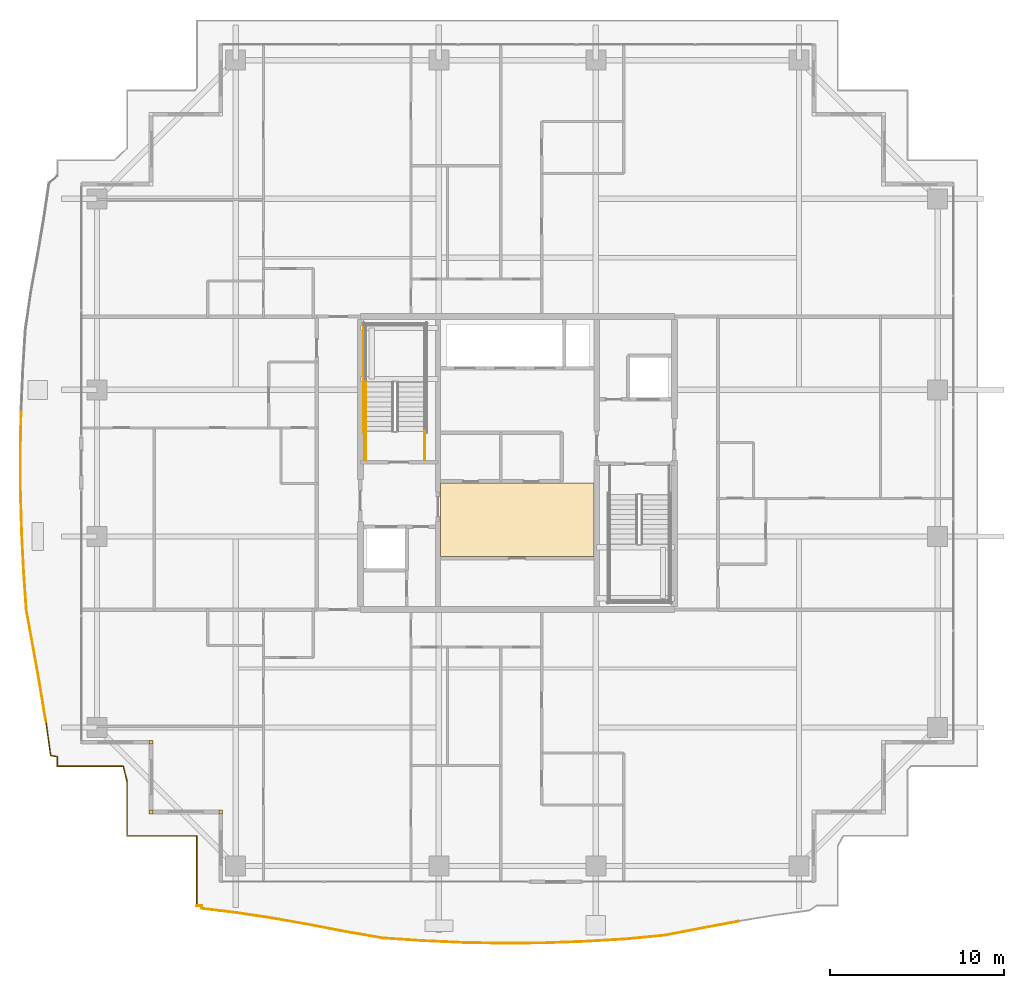
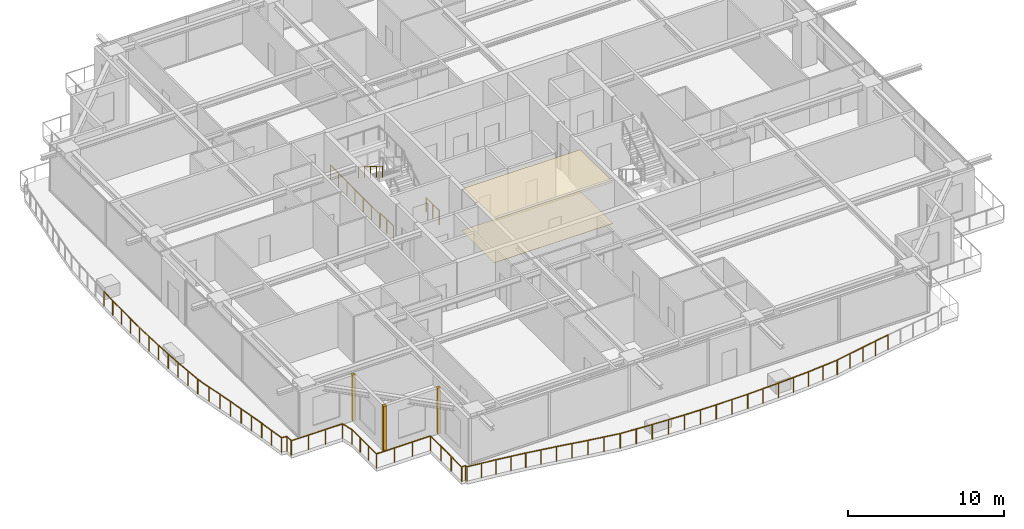
# One storey, part 32 of 36: 8 railings, 5 coverings.
"""IFC4 building model written with IfcOpenShell, lengths in metres."""

import ifcopenshell
import ifcopenshell.guid

model = None  # the IFC model being written
_history = None  # IfcOwnerHistory: only IFC2X3 demands one
_inside = {}  # id of a spatial element -> (the spatial element, [elements in it])
_under = {}  # id of a project, library or spatial element -> (it, [spatial elements below it])
_declared = {}  # id of a project -> (the project, [libraries it declares])
_typed = {}  # id of a type object -> (the type object, [elements of that type])
_made_of = {}  # id of a material, layer set ... -> (it, [elements and type objects made of it])


def new_model(schema):
    """Start an empty IFC model of exactly this schema.

    Asked for "IFC4X3", IfcOpenShell would pick the latest addendum, in which some entities
    have other attributes; the version numbers below select the first issue.
    IFC2X3 requires an IfcOwnerHistory on every rooted entity: one is made here for all.
    """
    global model, _history
    if schema == "IFC4X3":
        model = ifcopenshell.file(schema_version=(4, 3, 0, 0))
    else:
        model = ifcopenshell.file(schema=schema)
    _inside.clear()
    _under.clear()
    _declared.clear()
    _typed.clear()
    _made_of.clear()
    _history = None
    if model.schema == "IFC2X3":
        org = make("IfcOrganization", Name="unknown")
        user = make(
            "IfcPersonAndOrganization",
            ThePerson=make("IfcPerson", FamilyName="unknown"),
            TheOrganization=org,
        )
        app = make(
            "IfcApplication",
            ApplicationDeveloper=org,
            Version="unknown",
            ApplicationFullName="unknown",
            ApplicationIdentifier="unknown",
        )
        _history = make(
            "IfcOwnerHistory",
            OwningUser=user,
            OwningApplication=app,
            ChangeAction="ADDED",
            CreationDate=0,
        )
    return model


def make(cls, **values):
    """One entity of the class cls with the attributes given. An attribute that is None is left unset."""
    return model.create_entity(
        cls, **{name: value for name, value in values.items() if value is not None}
    )


def rooted(cls, **values):
    """An entity with a GlobalId (a new one), such as an element, a storey or a relation."""
    return make(cls, GlobalId=ifcopenshell.guid.new(), OwnerHistory=_history, **values)


def si_unit(unit_type, name, prefix=None):
    """IfcSIUnit, for example si_unit("LENGTHUNIT", "METRE", prefix="MILLI")."""
    return make("IfcSIUnit", UnitType=unit_type, Prefix=prefix, Name=name)


def assignment(units):
    """IfcUnitAssignment: the units of a project."""
    return None if units is None else make("IfcUnitAssignment", Units=units)


def point(xyz):
    """IfcCartesianPoint."""
    return None if xyz is None else make("IfcCartesianPoint", Coordinates=xyz)


def direction(xyz):
    """IfcDirection."""
    return None if xyz is None else make("IfcDirection", DirectionRatios=xyz)


def frame(location, z_axis=None, x_axis=None):
    """IfcAxis2Placement3D, a coordinate frame: its origin and axes. An axis left out is left unset."""
    return make(
        "IfcAxis2Placement3D",
        Location=point(location),
        Axis=direction(z_axis),
        RefDirection=direction(x_axis),
    )


def frame_2d(location, x_axis=None):
    """IfcAxis2Placement2D, a coordinate frame in the plane: its origin and x axis."""
    return make(
        "IfcAxis2Placement2D", Location=point(location), RefDirection=direction(x_axis)
    )


def origin():
    """The frame at (0, 0, 0) with its axes left unset."""
    return frame((0.0, 0.0, 0.0))


def origin_2d():
    """The frame at (0, 0) in the plane with its x axis left unset."""
    return frame_2d((0.0, 0.0))


def place(relative_to, where):
    """IfcLocalPlacement: puts the frame where relative to a parent placement (None: the world)."""
    return make(
        "IfcLocalPlacement", PlacementRelTo=relative_to, RelativePlacement=where
    )


def context(
    kind, dimensions, precision=None, world=None, true_north=None, identifier=None
):
    """IfcGeometricRepresentationContext, for example the 3D "Model" context."""
    return make(
        "IfcGeometricRepresentationContext",
        ContextIdentifier=identifier,
        ContextType=kind,
        CoordinateSpaceDimension=dimensions,
        Precision=precision,
        WorldCoordinateSystem=world,
        TrueNorth=true_north,
    )


def subcontext(parent, identifier, kind, view, scale=None):
    """IfcGeometricRepresentationSubContext, for example "Body" below "Model"."""
    return make(
        "IfcGeometricRepresentationSubContext",
        ContextIdentifier=identifier,
        ContextType=kind,
        ParentContext=parent,
        TargetScale=scale,
        TargetView=view,
    )


def project(units=None, contexts=None):
    """IfcProject with its units and contexts."""
    return rooted(
        "IfcProject",
        Name="project",
        RepresentationContexts=contexts,
        UnitsInContext=assignment(units),
    )


def spatial(cls, under=None, at=None, **own):
    """A site, building, storey or space (cls), placed at a placement, below another one or the project."""
    s = rooted(cls, ObjectPlacement=at, **own)
    if under is not None:
        _under.setdefault(under.id(), (under, []))[1].append(s)
    return s


def polyline(points):
    """IfcPolyline through the points."""
    return make("IfcPolyline", Points=[point(p) for p in points])


def profile(cls, at=None, kind="AREA", **sizes):
    """A parametric profile (cls). Its sizes go by their IFC names, for example OverallWidth=200.0."""
    return make(cls, ProfileType=kind, Position=at, **sizes)


def rectangle(**sizes):
    """IfcRectangleProfileDef."""
    return profile("IfcRectangleProfileDef", **sizes)


def circle(**sizes):
    """IfcCircleProfileDef."""
    return profile("IfcCircleProfileDef", **sizes)


def outline(outer, holes=None, kind="AREA"):
    """IfcArbitraryClosedProfileDef: a profile drawn as a closed curve; with holes, ...WithVoids."""
    if holes is None:
        return make("IfcArbitraryClosedProfileDef", ProfileType=kind, OuterCurve=outer)
    return make(
        "IfcArbitraryProfileDefWithVoids",
        ProfileType=kind,
        OuterCurve=outer,
        InnerCurves=holes,
    )


def extrude(swept, where, along, depth):
    """IfcExtrudedAreaSolid: the profile swept, set in the frame where, extruded along a direction by depth."""
    return make(
        "IfcExtrudedAreaSolid",
        SweptArea=swept,
        Position=where,
        ExtrudedDirection=direction(along),
        Depth=depth,
    )


def shape(context_of_items, identifier, shape_type, items):
    """IfcShapeRepresentation: the items that make up one representation, for example the "Body"."""
    return make(
        "IfcShapeRepresentation",
        ContextOfItems=context_of_items,
        RepresentationIdentifier=identifier,
        RepresentationType=shape_type,
        Items=items,
    )


def source(mapping_origin, context_of_items, identifier, shape_type, items):
    """IfcRepresentationMap: a shape defined once, which mapped items show again and again."""
    return make(
        "IfcRepresentationMap",
        MappingOrigin=mapping_origin,
        MappedRepresentation=shape(context_of_items, identifier, shape_type, items),
    )


def transform(
    local_origin,
    x_axis=None,
    y_axis=None,
    z_axis=None,
    scale=None,
    scale2=None,
    scale3=None,
    uniform=True,
):
    """IfcCartesianTransformationOperator3D, or its non-uniform kind. x_axis, y_axis, z_axis: its Axis1, 2, 3."""
    if uniform:
        return make(
            "IfcCartesianTransformationOperator3D",
            Axis1=direction(x_axis),
            Axis2=direction(y_axis),
            LocalOrigin=point(local_origin),
            Scale=scale,
            Axis3=direction(z_axis),
        )
    return make(
        "IfcCartesianTransformationOperator3DnonUniform",
        Axis1=direction(x_axis),
        Axis2=direction(y_axis),
        LocalOrigin=point(local_origin),
        Scale=scale,
        Axis3=direction(z_axis),
        Scale2=scale2,
        Scale3=scale3,
    )


def mapped(mapping_source, mapping_target):
    """IfcMappedItem: shows the shape of a source again, moved by a transform."""
    return make(
        "IfcMappedItem", MappingSource=mapping_source, MappingTarget=mapping_target
    )


def material(Name=None, Category=None):
    """IfcMaterial."""
    return make("IfcMaterial", Name=Name, Category=Category)


def layer(
    of_material, thickness, ventilated=None, Name=None, Category=None, Priority=None
):
    """IfcMaterialLayer: one layer of a wall or slab, of a material (None: an air gap)."""
    return make(
        "IfcMaterialLayer",
        Material=of_material,
        LayerThickness=thickness,
        IsVentilated=ventilated,
        Name=Name,
        Category=Category,
        Priority=Priority,
    )


def layer_set(layers, Name=None):
    """IfcMaterialLayerSet."""
    return make("IfcMaterialLayerSet", MaterialLayers=layers, LayerSetName=Name)


def made_of(thing, what):
    """Note that an element or type object is made of a material, layer set ...; save() writes the relation."""
    if what is not None:
        _made_of.setdefault(what.id(), (what, []))[1].append(thing)
    return thing


def type_object(cls, material=None, **own):
    """A type object (cls), such as IfcWallType, which elements share."""
    return made_of(rooted(cls, **own), material)


def element(
    cls,
    number,
    at=None,
    inside=None,
    cuts=None,
    type_object=None,
    material=None,
    context=None,
    identifier="Body",
    shape_type=None,
    held_by="IfcProductDefinitionShape",
    body=None,
    shapes=None,
    **own,
):
    """One element of the class cls, such as IfcWall. Its Tag is "e" and its number.

    at: its placement. inside: the storey or other place that contains it. cuts: it is an
    opening in that element (IfcRelVoidsElement). A single representation is given by context,
    identifier, shape_type and body (its items); several are given by shapes. held_by: the class
    of the entity that holds the representations. save() writes the other relations.
    """
    e = rooted(cls, Tag="e%d" % number, ObjectPlacement=at, **own)
    if body is not None:
        shapes = [shape(context, identifier, shape_type, body)]
    if shapes is not None:
        e.Representation = make(held_by, Representations=shapes)
    if inside is not None:
        _inside.setdefault(inside.id(), (inside, []))[1].append(e)
    if cuts is not None:
        rooted(
            "IfcRelVoidsElement", RelatingBuildingElement=cuts, RelatedOpeningElement=e
        )
    if type_object is not None:
        _typed.setdefault(type_object.id(), (type_object, []))[1].append(e)
    return made_of(e, material)


def aggregate(whole, parts):
    """IfcRelAggregates: a whole, such as a stair, and the parts it consists of."""
    return rooted("IfcRelAggregates", RelatingObject=whole, RelatedObjects=parts)


def save(model, path):
    """Write the relations noted so far, then the file.

    IfcRelAggregates (storeys below a building ...), IfcRelContainedInSpatialStructure (elements
    in a storey), IfcRelDefinesByType, IfcRelAssociatesMaterial and IfcRelDeclares: one each for
    every whole, place, type object, material and project.
    """
    for whole, parts in _under.values():
        aggregate(whole, parts)
    for where, things in _inside.values():
        rooted(
            "IfcRelContainedInSpatialStructure",
            RelatedElements=things,
            RelatingStructure=where,
        )
    for kind, things in _typed.values():
        rooted("IfcRelDefinesByType", RelatedObjects=things, RelatingType=kind)
    for what, things in _made_of.values():
        rooted("IfcRelAssociatesMaterial", RelatedObjects=things, RelatingMaterial=what)
    for by, libraries in _declared.values():
        rooted("IfcRelDeclares", RelatingContext=by, RelatedDefinitions=libraries)
    model.write(path)


model = new_model("IFC4")

# Units and contexts
model_context = context("Model", 3, precision=1e-05, world=origin(), true_north=direction((0.0, 1.0)))
body_context = subcontext(model_context, "Body", "Model", "MODEL_VIEW")
ifc_project = project(units=[si_unit("LENGTHUNIT", "METRE"), si_unit("AREAUNIT", "SQUARE_METRE"), si_unit("VOLUMEUNIT", "CUBIC_METRE"), si_unit("PLANEANGLEUNIT", "RADIAN"), si_unit("MASSUNIT", "GRAM", prefix="KILO")], contexts=[model_context])

# Site, building, storey
site_placement = place(None, origin())
site = spatial("IfcSite", under=ifc_project, at=site_placement, CompositionType="ELEMENT")
building_placement = place(site_placement, origin())
building = spatial("IfcBuilding", under=site, at=building_placement, Name="Serunith Strait Residences", CompositionType="ELEMENT")
storey_placement = place(building_placement, frame((0.0, 0.0, 225.85009765625)))
storey = spatial("IfcBuildingStorey", under=building, at=storey_placement, Name="L56", CompositionType="ELEMENT", Elevation=225.85009765625)

# Coverings
ifc_material_1 = material(Name="Perforated acoustic gypsum ceiling tile")
ifc_layer_1 = layer(ifc_material_1, 0.02490234375, Name="Perforated acoustic gypsum ceiling tile")
ifc_layer_set_1 = layer_set([ifc_layer_1], Name="Perforated acoustic gypsum ceiling tile")
covering_type_1 = type_object("IfcCoveringType", Name="COV-CEIL-AC60", PredefinedType="CEILING", material=ifc_layer_set_1)
covering_1_placement = place(storey_placement, frame((0.0, 0.0, 3.239990234375)))
element("IfcCovering", 1, at=covering_1_placement, inside=storey, type_object=covering_type_1, Name="L56 Lift Lobby Acoustic Ceiling", PredefinedType="CEILING", context=body_context, shape_type="SweptSolid", body=[
    extrude(outline(polyline([(28.0, 19.85009765625), (36.800048828125, 19.85009765625), (36.800048828125, 24.050048828125), (28.0, 24.050048828125), (28.0, 19.85009765625)])), origin(), (0.0, 0.0, 1.0), 0.02490234375),
])
ifc_material_2 = material(Name="Honed limestone terrazzo flooring", Category="masonry")
ifc_layer_2 = layer(ifc_material_2, 0.02001953125, Name="Honed limestone terrazzo flooring")
ifc_layer_set_2 = layer_set([ifc_layer_2], Name="Honed limestone terrazzo flooring")
covering_type_2 = type_object("IfcCoveringType", Name="COV-FLOOR-TER40", PredefinedType="FLOORING", material=ifc_layer_set_2)
covering_2_placement = place(storey_placement, origin())
element("IfcCovering", 2, at=covering_2_placement, inside=storey, type_object=covering_type_2, Name="L56 Lift Lobby Terrazzo Flooring", PredefinedType="FLOORING", context=body_context, shape_type="SweptSolid", body=[
    extrude(outline(polyline([(28.0, 19.85009765625), (36.800048828125, 19.85009765625), (36.800048828125, 24.050048828125), (28.0, 24.050048828125), (28.0, 19.85009765625)])), origin(), (0.0, 0.0, 1.0), 0.02001953125),
])

# Railings
ifc_material_3 = material(Name="Stainless Steel & Laminated Glass Balustrade", Category="steel")
railing_type_1 = type_object("IfcRailingType", Name="RLG-BALC-1150", PredefinedType="BALUSTRADE", material=ifc_material_3)
railing_1_placement = place(storey_placement, frame((14.02001953125, -0.179931640625, -0.050048828125)))
element("IfcRailing", 3, at=railing_1_placement, inside=storey, type_object=railing_type_1, Name="L56 Swirling Balcony Perimeter Balustrade 1", PredefinedType="BALUSTRADE", context=body_context, shape_type="SweptSolid", body=[
    extrude(circle(Radius=0.02392578125, at=origin_2d()), frame((0.0, 0.001953125, 1.1259765625), z_axis=(0.0, 1.0, 0.0), x_axis=(-1.0, 0.0, 0.0)), (0.0, 0.0, 1.0), 3.99609375),
    extrude(circle(Radius=0.02392578125, at=origin_2d()), frame((-0.001953125, 4.0, 1.1259765625), z_axis=(-1.0, 0.0, 0.0), x_axis=(0.0, -1.0, 0.0)), (0.0, 0.0, 1.0), 3.99609375),
    extrude(circle(Radius=0.02392578125, at=origin_2d()), frame((-4.0, 4.001953125, 1.1259765625), z_axis=(0.0, 1.0, 0.0), x_axis=(-1.0, 0.0, 0.0)), (0.0, 0.0, 1.0), 3.125),
    extrude(circle(Radius=0.02392578125, at=origin_2d()), frame((-4.00048828125, 7.130859375, 1.1259765625), z_axis=(-0.237407418156, 0.971410169704, 0.0), x_axis=(-0.971410169704, -0.237407418156, 0.0)), (0.0, 0.0, 1.0), 0.892822265625),
    extrude(circle(Radius=0.02392578125, at=origin_2d()), frame((-4.21484375, 8.0, 1.1259765625), z_axis=(-1.0, 0.0, 0.0), x_axis=(0.0, -1.0, 0.0)), (0.0, 0.0, 1.0), 3.783203125),
    extrude(circle(Radius=0.02392578125, at=origin_2d()), frame((-8.0, 8.001953125, 1.1259765625), z_axis=(0.0, 1.0, 0.0), x_axis=(-1.0, 0.0, 0.0)), (0.0, 0.0, 1.0), 0.54541015625),
    extrude(circle(Radius=0.02392578125, at=origin_2d()), frame((-8.001953125, 8.549560546875, 1.1259765625), z_axis=(-0.985940345405, 0.167097681916, 0.0), x_axis=(-0.167097681916, -0.985940345405, 0.0)), (0.0, 0.0, 1.0), 0.37744140625),
    extrude(circle(Radius=0.02392578125, at=origin_2d()), frame((-8.376220703125, 8.614990234375, 1.1259765625), z_axis=(-0.138386199271, 0.990378341772, 0.0), x_axis=(-0.990378341772, -0.138386199271, 0.0)), (0.0, 0.0, 1.0), 2.0458984375),
    extrude(circle(Radius=0.02099609375, at=origin_2d()), origin(), (0.0, 0.0, 1.0), 1.099853515625),
    extrude(circle(Radius=0.02099609375, at=origin_2d()), frame((0.0, 1.333251953125, 0.0)), (0.0, 0.0, 1.0), 1.099853515625),
    extrude(circle(Radius=0.02099609375, at=origin_2d()), frame((0.0, 2.666748046875, 0.0)), (0.0, 0.0, 1.0), 1.099853515625),
    extrude(circle(Radius=0.02099609375, at=origin_2d()), frame((0.0, 4.0, 0.0)), (0.0, 0.0, 1.0), 1.099853515625),
    extrude(circle(Radius=0.02099609375, at=origin_2d()), frame((-1.333251953125, 4.0, 0.0)), (0.0, 0.0, 1.0), 1.099853515625),
    extrude(circle(Radius=0.02099609375, at=origin_2d()), frame((-2.666748046875, 4.0, 0.0)), (0.0, 0.0, 1.0), 1.099853515625),
    extrude(circle(Radius=0.02099609375, at=origin_2d()), frame((-4.0, 4.0, 0.0)), (0.0, 0.0, 1.0), 1.099853515625),
    extrude(circle(Radius=0.02099609375, at=origin_2d()), frame((-4.0, 5.04296875, 0.0)), (0.0, 0.0, 1.0), 1.099853515625),
    extrude(circle(Radius=0.02099609375, at=origin_2d()), frame((-4.0, 6.0859375, 0.0)), (0.0, 0.0, 1.0), 1.099853515625),
    extrude(circle(Radius=0.02099609375, at=origin_2d()), frame((-4.0, 7.12890625, 0.0)), (0.0, 0.0, 1.0), 1.099853515625),
    extrude(circle(Radius=0.02099609375, at=origin_2d()), frame((-4.212890625, 8.0, 0.0)), (0.0, 0.0, 1.0), 1.099853515625),
    extrude(circle(Radius=0.02099609375, at=origin_2d()), frame((-5.475341796875, 8.0, 0.0)), (0.0, 0.0, 1.0), 1.099853515625),
    extrude(circle(Radius=0.02099609375, at=origin_2d()), frame((-6.737548828125, 8.0, 0.0)), (0.0, 0.0, 1.0), 1.099853515625),
    extrude(circle(Radius=0.02099609375, at=origin_2d()), frame((-8.0, 8.0, 0.0)), (0.0, 0.0, 1.0), 1.099853515625),
    extrude(circle(Radius=0.02099609375, at=origin_2d()), frame((-8.0, 8.54931640625, 0.0)), (0.0, 0.0, 1.0), 1.099853515625),
    extrude(circle(Radius=0.02099609375, at=origin_2d()), frame((-8.3759765625, 8.613037109375, 0.0)), (0.0, 0.0, 1.0), 1.099853515625),
    extrude(circle(Radius=0.02099609375, at=origin_2d()), frame((-8.517822265625, 9.628173828125, 0.0)), (0.0, 0.0, 1.0), 1.099853515625),
    extrude(circle(Radius=0.02099609375, at=origin_2d()), frame((-8.65966796875, 10.643310546875, 0.0)), (0.0, 0.0, 1.0), 1.099853515625),
])
railing_2_placement = place(storey_placement, frame((5.3603515625, 10.46337890625, -0.050048828125)))
element("IfcRailing", 4, at=railing_2_placement, inside=storey, type_object=railing_type_1, Name="L56 Swirling Balcony Perimeter Balustrade 2", PredefinedType="BALUSTRADE", context=body_context, shape_type="SweptSolid", body=[
    extrude(circle(Radius=0.02392578125, at=origin_2d()), frame((-0.000244140625, 0.001953125, 1.1259765625), z_axis=(-0.161390880631, 0.986890563157, 0.0), x_axis=(-0.986890563157, -0.161390880631, 0.0)), (0.0, 0.0, 1.0), 2.075927734375),
    extrude(circle(Radius=0.02392578125, at=origin_2d()), frame((-0.3359375, 2.0546875, 1.1259765625), z_axis=(-0.176883754776, 0.984231749791, 0.0), x_axis=(-0.984231749791, -0.176883754776, 0.0)), (0.0, 0.0, 1.0), 2.12158203125),
    extrude(circle(Radius=0.02392578125, at=origin_2d()), frame((-0.7119140625, 4.146728515625, 1.1259765625), z_axis=(-0.179278853801, 0.983798298728, 0.0), x_axis=(-0.983798298728, -0.179278853801, 0.0)), (0.0, 0.0, 1.0), 2.180419921875),
    extrude(circle(Radius=0.02392578125, at=origin_2d()), frame((-1.103515625, 6.295654296875, 1.1259765625), z_axis=(-0.070038967941, 0.997544256146, 0.0), x_axis=(-0.997544256146, -0.070038967941, 0.0)), (0.0, 0.0, 1.0), 2.26513671875),
    extrude(circle(Radius=0.02392578125, at=origin_2d()), frame((-1.26220703125, 8.559326171875, 1.1259765625), z_axis=(-0.04970981739, 0.998763702812, 0.0), x_axis=(-0.998763702812, -0.04970981739, 0.0)), (0.0, 0.0, 1.0), 2.29443359375),
    extrude(circle(Radius=0.02392578125, at=origin_2d()), frame((-1.37646484375, 10.85498046875, 1.1259765625), z_axis=(-0.02759458746, 0.999619196866, 0.0), x_axis=(-0.999619196866, -0.02759458746, 0.0)), (0.0, 0.0, 1.0), 2.31396484375),
    extrude(circle(Radius=0.02392578125, at=origin_2d()), frame((-1.4404296875, 13.172119140625, 1.1259765625), z_axis=(-0.003778310562, 0.999992862159, 0.0), x_axis=(-0.999992862159, -0.003778310562, 0.0)), (0.0, 0.0, 1.0), 2.322265625),
    extrude(circle(Radius=0.02392578125, at=origin_2d()), frame((-1.44921875, 15.498291015625, 1.1259765625), z_axis=(0.020504733108, 0.999789755859, 0.0), x_axis=(-0.999789755859, 0.020504733108, 0.0)), (0.0, 0.0, 1.0), 2.31787109375),
    extrude(circle(Radius=0.02099609375, at=origin_2d()), origin(), (0.0, 0.0, 1.0), 1.099853515625),
    extrude(circle(Radius=0.02099609375, at=origin_2d()), frame((-0.16796875, 1.0263671875, 0.0)), (0.0, 0.0, 1.0), 1.099853515625),
    extrude(circle(Radius=0.02099609375, at=origin_2d()), frame((-0.335693359375, 2.052734375, 0.0)), (0.0, 0.0, 1.0), 1.099853515625),
    extrude(circle(Radius=0.02099609375, at=origin_2d()), frame((-0.523681640625, 3.0986328125, 0.0)), (0.0, 0.0, 1.0), 1.099853515625),
    extrude(circle(Radius=0.02099609375, at=origin_2d()), frame((-0.711669921875, 4.144775390625, 0.0)), (0.0, 0.0, 1.0), 1.099853515625),
    extrude(circle(Radius=0.02099609375, at=origin_2d()), frame((-0.907470703125, 5.21923828125, 0.0)), (0.0, 0.0, 1.0), 1.099853515625),
    extrude(circle(Radius=0.02099609375, at=origin_2d()), frame((-1.103271484375, 6.293701171875, 0.0)), (0.0, 0.0, 1.0), 1.099853515625),
    extrude(circle(Radius=0.02099609375, at=origin_2d()), frame((-1.1826171875, 7.425537109375, 0.0)), (0.0, 0.0, 1.0), 1.099853515625),
    extrude(circle(Radius=0.02099609375, at=origin_2d()), frame((-1.26220703125, 8.557373046875, 0.0)), (0.0, 0.0, 1.0), 1.099853515625),
    extrude(circle(Radius=0.02099609375, at=origin_2d()), frame((-1.3193359375, 9.705078125, 0.0)), (0.0, 0.0, 1.0), 1.099853515625),
    extrude(circle(Radius=0.02099609375, at=origin_2d()), frame((-1.37646484375, 10.85302734375, 0.0)), (0.0, 0.0, 1.0), 1.099853515625),
    extrude(circle(Radius=0.02099609375, at=origin_2d()), frame((-1.408447265625, 12.01171875, 0.0)), (0.0, 0.0, 1.0), 1.099853515625),
    extrude(circle(Radius=0.02099609375, at=origin_2d()), frame((-1.4404296875, 13.170166015625, 0.0)), (0.0, 0.0, 1.0), 1.099853515625),
    extrude(circle(Radius=0.02099609375, at=origin_2d()), frame((-1.44482421875, 14.333251953125, 0.0)), (0.0, 0.0, 1.0), 1.099853515625),
    extrude(circle(Radius=0.02099609375, at=origin_2d()), frame((-1.44921875, 15.496337890625, 0.0)), (0.0, 0.0, 1.0), 1.099853515625),
    extrude(circle(Radius=0.02099609375, at=origin_2d()), frame((-1.42529296875, 16.656982421875, 0.0)), (0.0, 0.0, 1.0), 1.099853515625),
    extrude(circle(Radius=0.02099609375, at=origin_2d()), frame((-1.401611328125, 17.817626953125, 0.0)), (0.0, 0.0, 1.0), 1.099853515625),
])
railing_3_placement = place(storey_placement, frame((45.07861328125, -1.069091796875, -0.050048828125)))
element("IfcRailing", 5, at=railing_3_placement, inside=storey, type_object=railing_type_1, Name="L56 Swirling Balcony Perimeter Balustrade 7", PredefinedType="BALUSTRADE", context=body_context, shape_type="SweptSolid", body=[
    extrude(circle(Radius=0.02392578125, at=origin_2d()), frame((-0.001953125, -0.000244140625, 1.1259765625), z_axis=(-0.983102543219, -0.183055700585, 0.0), x_axis=(0.183055700585, -0.983102543219, 0.0)), (0.0, 0.0, 1.0), 2.112548828125),
    extrude(circle(Radius=0.02392578125, at=origin_2d()), frame((-2.082763671875, -0.387939453125, 1.1259765625), z_axis=(-0.981694070557, -0.190464568445, 0.0), x_axis=(0.190464568445, -0.981694070557, 0.0)), (0.0, 0.0, 1.0), 2.173828125),
    extrude(circle(Radius=0.02392578125, at=origin_2d()), frame((-4.220703125, -0.802490234375, 1.1259765625), z_axis=(-0.995457106856, -0.095211072937, 0.0), x_axis=(0.095211072937, -0.995457106856, 0.0)), (0.0, 0.0, 1.0), 2.26025390625),
    extrude(circle(Radius=0.02392578125, at=origin_2d()), frame((-6.474609375, -1.017822265625, 1.1259765625), z_axis=(-0.998221769603, -0.059609552003, 0.0), x_axis=(0.059609552003, -0.998221769603, 0.0)), (0.0, 0.0, 1.0), 2.3017578125),
    extrude(circle(Radius=0.02392578125, at=origin_2d()), frame((-8.7763671875, -1.1552734375, 1.1259765625), z_axis=(-0.9993385981, -0.036364355447, 0.0), x_axis=(0.036364355447, -0.9993385981, 0.0)), (0.0, 0.0, 1.0), 2.32568359375),
    extrude(circle(Radius=0.02392578125, at=origin_2d()), frame((-11.1044921875, -1.239990234375, 1.1259765625), z_axis=(-0.999954963213, -0.009490603009, 0.0), x_axis=(0.009490603009, -0.999954963213, 0.0)), (0.0, 0.0, 1.0), 2.3369140625),
    extrude(circle(Radius=0.02392578125, at=origin_2d()), frame((-13.4453125, -1.26220703125, 1.1259765625), z_axis=(-0.99983295205, 0.018277527067, 0.0), x_axis=(-0.018277527067, -0.99983295205, 0.0)), (0.0, 0.0, 1.0), 2.33349609375),
    extrude(circle(Radius=0.02392578125, at=origin_2d()), frame((-15.782470703125, -1.219482421875, 1.1259765625), z_axis=(-0.999004450497, 0.044610625278, 0.0), x_axis=(-0.044610625278, -0.999004450497, 0.0)), (0.0, 0.0, 1.0), 2.31640625),
    extrude(circle(Radius=0.02099609375, at=origin_2d()), origin(), (0.0, 0.0, 1.0), 1.099853515625),
    extrude(circle(Radius=0.02099609375, at=origin_2d()), frame((-1.04052734375, -0.19384765625, 0.0)), (0.0, 0.0, 1.0), 1.099853515625),
    extrude(circle(Radius=0.02099609375, at=origin_2d()), frame((-2.080810546875, -0.387451171875, 0.0)), (0.0, 0.0, 1.0), 1.099853515625),
    extrude(circle(Radius=0.02099609375, at=origin_2d()), frame((-3.14990234375, -0.5947265625, 0.0)), (0.0, 0.0, 1.0), 1.099853515625),
    extrude(circle(Radius=0.02099609375, at=origin_2d()), frame((-4.21875, -0.80224609375, 0.0)), (0.0, 0.0, 1.0), 1.099853515625),
    extrude(circle(Radius=0.02099609375, at=origin_2d()), frame((-5.345703125, -0.91015625, 0.0)), (0.0, 0.0, 1.0), 1.099853515625),
    extrude(circle(Radius=0.02099609375, at=origin_2d()), frame((-6.47265625, -1.017822265625, 0.0)), (0.0, 0.0, 1.0), 1.099853515625),
    extrude(circle(Radius=0.02099609375, at=origin_2d()), frame((-7.62353515625, -1.08642578125, 0.0)), (0.0, 0.0, 1.0), 1.099853515625),
    extrude(circle(Radius=0.02099609375, at=origin_2d()), frame((-8.7744140625, -1.1552734375, 0.0)), (0.0, 0.0, 1.0), 1.099853515625),
    extrude(circle(Radius=0.02099609375, at=origin_2d()), frame((-9.9384765625, -1.19775390625, 0.0)), (0.0, 0.0, 1.0), 1.099853515625),
    extrude(circle(Radius=0.02099609375, at=origin_2d()), frame((-11.1025390625, -1.239990234375, 0.0)), (0.0, 0.0, 1.0), 1.099853515625),
    extrude(circle(Radius=0.02099609375, at=origin_2d()), frame((-12.27294921875, -1.2509765625, 0.0)), (0.0, 0.0, 1.0), 1.099853515625),
    extrude(circle(Radius=0.02099609375, at=origin_2d()), frame((-13.443359375, -1.26220703125, 0.0)), (0.0, 0.0, 1.0), 1.099853515625),
    extrude(circle(Radius=0.02099609375, at=origin_2d()), frame((-14.61181640625, -1.24072265625, 0.0)), (0.0, 0.0, 1.0), 1.099853515625),
    extrude(circle(Radius=0.02099609375, at=origin_2d()), frame((-15.780517578125, -1.219482421875, 0.0)), (0.0, 0.0, 1.0), 1.099853515625),
    extrude(circle(Radius=0.02099609375, at=origin_2d()), frame((-16.939453125, -1.167724609375, 0.0)), (0.0, 0.0, 1.0), 1.099853515625),
    extrude(circle(Radius=0.02099609375, at=origin_2d()), frame((-18.0986328125, -1.115966796875, 0.0)), (0.0, 0.0, 1.0), 1.099853515625),
])
railing_4_placement = place(storey_placement, frame((26.97998046875, -2.18505859375, -0.050048828125)))
element("IfcRailing", 6, at=railing_4_placement, inside=storey, type_object=railing_type_1, Name="L56 Swirling Balcony Perimeter Balustrade 8", PredefinedType="BALUSTRADE", context=body_context, shape_type="SweptSolid", body=[
    extrude(circle(Radius=0.02392578125, at=origin_2d()), frame((-0.001953125, 0.000244140625, 1.1259765625), z_axis=(-0.997722482444, 0.067452561293, 0.0), x_axis=(-0.067452561293, -0.997722482444, 0.0)), (0.0, 0.0, 1.0), 2.287109375),
    extrude(circle(Radius=0.02392578125, at=origin_2d()), frame((-2.287841796875, 0.15478515625, 1.1259765625), z_axis=(-0.98554543365, 0.169411328465, 0.0), x_axis=(-0.169411328465, -0.98554543365, 0.0)), (0.0, 0.0, 1.0), 2.206787109375),
    extrude(circle(Radius=0.02392578125, at=origin_2d()), frame((-4.466552734375, 0.529541015625, 1.1259765625), z_axis=(-0.981875176811, 0.189528723845, 0.0), x_axis=(-0.189528723845, -0.981875176811, 0.0)), (0.0, 0.0, 1.0), 2.135498046875),
    extrude(circle(Radius=0.02392578125, at=origin_2d()), frame((-6.5673828125, 0.934814453125, 1.1259765625), z_axis=(-0.984723419221, 0.174125781082, 0.0), x_axis=(-0.174125781082, -0.984723419221, 0.0)), (0.0, 0.0, 1.0), 2.082275390625),
    extrude(circle(Radius=0.02392578125, at=origin_2d()), frame((-8.621826171875, 1.298095703125, 1.1259765625), z_axis=(-0.988802400158, 0.149230738933, 0.0), x_axis=(-0.149230738933, -0.988802400158, 0.0)), (0.0, 0.0, 1.0), 2.047607421875),
    extrude(circle(Radius=0.02392578125, at=origin_2d()), frame((-10.650390625, 1.604248046875, 1.1259765625), z_axis=(-0.992572485467, 0.121654679707, 0.0), x_axis=(-0.121654679707, -0.992572485467, 0.0)), (0.0, 0.0, 1.0), 2.02880859375),
    extrude(circle(Radius=0.02392578125, at=origin_2d()), frame((-12.666259765625, 1.853271484375, 1.1259765625), z_axis=(0.007936257995, 0.999968507409, 0.0), x_axis=(-0.999968507409, 0.007936257995, 0.0)), (0.0, 0.0, 1.0), 0.14990234375),
    extrude(circle(Radius=0.02392578125, at=origin_2d()), frame((-12.6669921875, 2.005126953125, 1.1259765625), z_axis=(-1.0, 0.0, 0.0), x_axis=(0.0, -1.0, 0.0)), (0.0, 0.0, 1.0), 0.291015625),
    extrude(circle(Radius=0.02099609375, at=origin_2d()), origin(), (0.0, 0.0, 1.0), 1.099853515625),
    extrude(circle(Radius=0.02099609375, at=origin_2d()), frame((-1.14306640625, 0.0771484375, 0.0)), (0.0, 0.0, 1.0), 1.099853515625),
    extrude(circle(Radius=0.02099609375, at=origin_2d()), frame((-2.285888671875, 0.154541015625, 0.0)), (0.0, 0.0, 1.0), 1.099853515625),
    extrude(circle(Radius=0.02099609375, at=origin_2d()), frame((-3.375244140625, 0.341796875, 0.0)), (0.0, 0.0, 1.0), 1.099853515625),
    extrude(circle(Radius=0.02099609375, at=origin_2d()), frame((-4.464599609375, 0.529052734375, 0.0)), (0.0, 0.0, 1.0), 1.099853515625),
    extrude(circle(Radius=0.02099609375, at=origin_2d()), frame((-5.51513671875, 0.73193359375, 0.0)), (0.0, 0.0, 1.0), 1.099853515625),
    extrude(circle(Radius=0.02099609375, at=origin_2d()), frame((-6.5654296875, 0.9345703125, 0.0)), (0.0, 0.0, 1.0), 1.099853515625),
    extrude(circle(Radius=0.02099609375, at=origin_2d()), frame((-7.5927734375, 1.1162109375, 0.0)), (0.0, 0.0, 1.0), 1.099853515625),
    extrude(circle(Radius=0.02099609375, at=origin_2d()), frame((-8.619873046875, 1.2978515625, 0.0)), (0.0, 0.0, 1.0), 1.099853515625),
    extrude(circle(Radius=0.02099609375, at=origin_2d()), frame((-9.63427734375, 1.450927734375, 0.0)), (0.0, 0.0, 1.0), 1.099853515625),
    extrude(circle(Radius=0.02099609375, at=origin_2d()), frame((-10.6484375, 1.60400390625, 0.0)), (0.0, 0.0, 1.0), 1.099853515625),
    extrude(circle(Radius=0.02099609375, at=origin_2d()), frame((-11.6572265625, 1.7275390625, 0.0)), (0.0, 0.0, 1.0), 1.099853515625),
    extrude(circle(Radius=0.02099609375, at=origin_2d()), frame((-12.666259765625, 1.851318359375, 0.0)), (0.0, 0.0, 1.0), 1.099853515625),
    extrude(circle(Radius=0.02099609375, at=origin_2d()), frame((-12.6650390625, 2.005126953125, 0.0)), (0.0, 0.0, 1.0), 1.099853515625),
    extrude(circle(Radius=0.02099609375, at=origin_2d()), frame((-12.9599609375, 2.005126953125, 0.0)), (0.0, 0.0, 1.0), 1.099853515625),
])
ifc_material_4 = material(Name="Brushed stainless steel 316L", Category="steel")
railing_type_2 = type_object("IfcRailingType", Name="RLG-STAIR-GUARD", PredefinedType="BALUSTRADE", material=ifc_material_4)
for number, where, name in (
    (7, (27.10009765625, 25.35009765625, 0.0), "L56 ST-1 stair guard 8"),
    (8, (23.699951171875, 25.35009765625, 0.0), "L56 ST-1 stair guard 9"),
):
    element("IfcRailing", number, at=place(storey_placement, frame(where)), inside=storey, type_object=railing_type_2, Name=name, PredefinedType="BALUSTRADE", context=body_context, shape_type="SweptSolid", body=[
        extrude(circle(Radius=0.02392578125, at=origin_2d()), frame((0.0, 0.001953125, 1.076171875), z_axis=(0.0, 1.0, 0.0), x_axis=(-1.0, 0.0, 0.0)), (0.0, 0.0, 1.0), 1.676025390625),
        extrude(circle(Radius=0.02099609375, at=origin_2d()), origin(), (0.0, 0.0, 1.0), 1.050048828125),
        extrude(circle(Radius=0.02099609375, at=origin_2d()), frame((0.0, 0.83984375, 0.0)), (0.0, 0.0, 1.0), 1.050048828125),
        extrude(circle(Radius=0.02099609375, at=origin_2d()), frame((0.0, 1.679931640625, 0.0)), (0.0, 0.0, 1.0), 1.050048828125),
    ])
railing_5_placement = place(storey_placement, frame((23.60009765625, 26.929931640625, 0.0)))
element("IfcRailing", 9, at=railing_5_placement, inside=storey, type_object=railing_type_2, Name="L56 ST-1 stair guard 11", PredefinedType="BALUSTRADE", context=body_context, shape_type="SweptSolid", body=[
    extrude(circle(Radius=0.02392578125, at=origin_2d()), frame((0.0, 0.001953125, 1.076171875), z_axis=(0.0, 1.0, 0.0), x_axis=(-1.0, 0.0, 0.0)), (0.0, 0.0, 1.0), 6.316162109375),
    extrude(circle(Radius=0.02099609375, at=origin_2d()), origin(), (0.0, 0.0, 1.0), 1.050048828125),
    extrude(circle(Radius=0.02099609375, at=origin_2d()), frame((0.0, 1.05322265625, 0.0)), (0.0, 0.0, 1.0), 1.050048828125),
    extrude(circle(Radius=0.02099609375, at=origin_2d()), frame((0.0, 2.106689453125, 0.0)), (0.0, 0.0, 1.0), 1.050048828125),
    extrude(circle(Radius=0.02099609375, at=origin_2d()), frame((0.0, 3.16015625, 0.0)), (0.0, 0.0, 1.0), 1.050048828125),
    extrude(circle(Radius=0.02099609375, at=origin_2d()), frame((0.0, 4.21337890625, 0.0)), (0.0, 0.0, 1.0), 1.050048828125),
    extrude(circle(Radius=0.02099609375, at=origin_2d()), frame((0.0, 5.2666015625, 0.0)), (0.0, 0.0, 1.0), 1.050048828125),
    extrude(circle(Radius=0.02099609375, at=origin_2d()), frame((0.0, 6.320068359375, 0.0)), (0.0, 0.0, 1.0), 1.050048828125),
])
railing_type_3 = type_object("IfcRailingType", Name="RLG-STAIR-HR", PredefinedType="HANDRAIL", material=ifc_material_4)
railing_6_placement = place(storey_placement, frame((23.699951171875, 29.830078125, 2.099853515625)))
element("IfcRailing", 10, at=railing_6_placement, inside=storey, type_object=railing_type_3, Name="L56 ST-1 stair handrail 2", PredefinedType="HANDRAIL", context=body_context, shape_type="SweptSolid", body=[
    extrude(circle(Radius=0.02392578125, at=origin_2d()), frame((0.0, -0.001708984375, 0.876953125), z_axis=(0.0, -0.847393994688, 0.530964610654), x_axis=(1.0, 0.0, 0.0)), (0.0, 0.0, 1.0), 3.630859375),
    extrude(circle(Radius=0.02099609375, at=origin_2d()), origin(), (0.0, 0.0, 1.0), 0.849853515625),
    extrude(circle(Radius=0.02099609375, at=origin_2d()), frame((0.0, -0.77001953125, 0.482421875)), (0.0, 0.0, 1.0), 0.849853515625),
    extrude(circle(Radius=0.02099609375, at=origin_2d()), frame((0.0, -1.5400390625, 0.96484375)), (0.0, 0.0, 1.0), 0.849853515625),
    extrude(circle(Radius=0.02099609375, at=origin_2d()), frame((0.0, -2.31005859375, 1.447509765625)), (0.0, 0.0, 1.0), 0.849853515625),
    extrude(circle(Radius=0.02099609375, at=origin_2d()), frame((0.0, -3.080078125, 1.929931640625)), (0.0, 0.0, 1.0), 0.849853515625),
])

# Coverings
ifc_material_5 = material(Name="Pale-Champagne Anodised Aluminium", Category="aluminium")
ifc_layer_3 = layer(ifc_material_5, 0.219970703125, Name="Pale-Champagne Anodised Aluminium")
ifc_layer_set_3 = layer_set([ifc_layer_3], Name="Pale-Champagne Anodised Aluminium")
covering_type_3 = type_object("IfcCoveringType", Name="COV-CORN-TRIM", PredefinedType="CLADDING", material=ifc_layer_set_3)
shared_shape = source(origin(), body_context, "Body", "SweptSolid", [
    extrude(rectangle(XDim=0.221923828125, YDim=0.221923828125, at=origin_2d()), origin(), (0.0, 0.0, 1.0), 3.574951171875),
])
for number, where, z_axis, x_axis, name in (
    (11, (11.39990234375, 9.199951171875, 0.0), (0.0, 0.0, 1.0), (1.0, 0.0, 0.0), "L56 Girih Serrated Corner Trim Post 17"),
    (12, (11.39990234375, 5.199951171875, 0.0), (0.0, 0.0, 1.0), (1.0, 0.0, 0.0), "L56 Girih Serrated Corner Trim Post 18"),
    (13, (15.39990234375, 5.199951171875, 0.0), (0.0, 0.0, 1.0), (1.0, 0.0, 0.0), "L56 Girih Serrated Corner Trim Post 19"),
):
    element("IfcCovering", number, at=place(storey_placement, frame(where, z_axis=z_axis, x_axis=x_axis)), inside=storey, type_object=covering_type_3, Name=name, PredefinedType="CLADDING", context=body_context, shape_type="MappedRepresentation", body=[
        mapped(shared_shape, transform((0.0, 0.0, 0.0), scale=1.0)),
    ])

save(model, "model.ifc")
